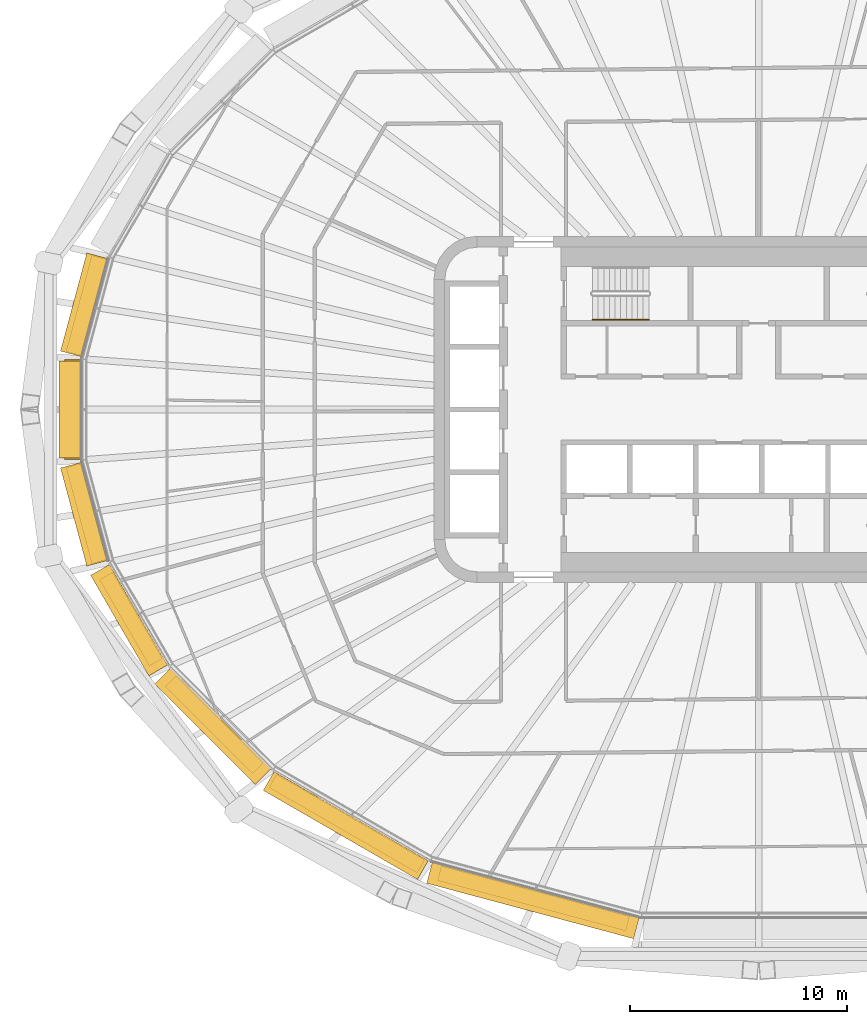
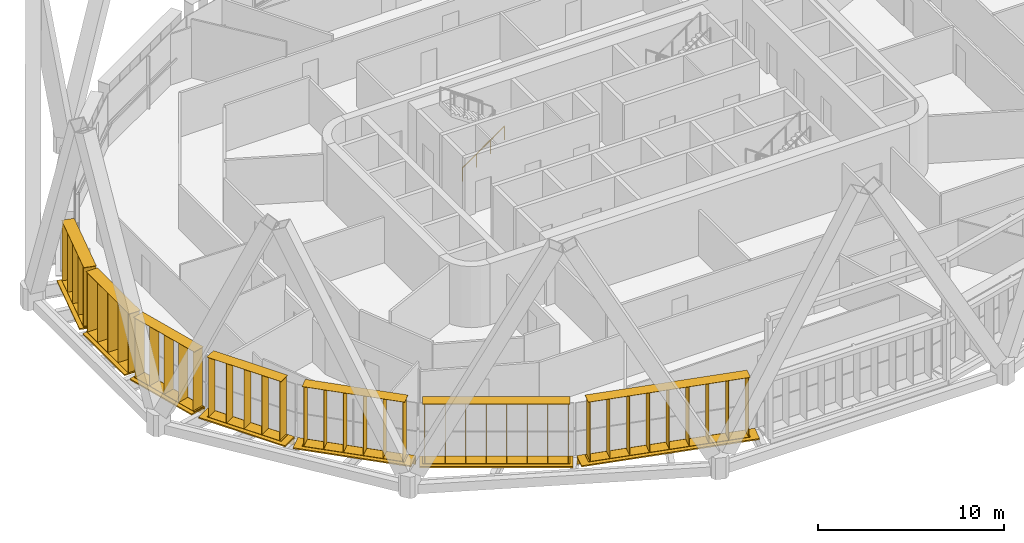
# One storey, part 20 of 25: 14 shading devices, 1 railing.
"""IFC4 building model written with IfcOpenShell, lengths in metres."""

from ifc_helpers import new_model, si_unit, direction, frame, origin, origin_2d, place, context, subcontext, project, spatial, rectangle, circle, extrude, material, type_object, element, save


model = new_model("IFC4")

# Units and contexts
model_context = context("Model", 3, precision=1e-05, world=origin(), true_north=direction((0.0, 1.0)))
body_context = subcontext(model_context, "Body", "Model", "MODEL_VIEW")
ifc_project = project(units=[si_unit("LENGTHUNIT", "METRE"), si_unit("AREAUNIT", "SQUARE_METRE"), si_unit("VOLUMEUNIT", "CUBIC_METRE"), si_unit("PLANEANGLEUNIT", "RADIAN"), si_unit("MASSUNIT", "GRAM", prefix="KILO")], contexts=[model_context])

# Site, building, storey
site_placement = place(None, origin())
site = spatial("IfcSite", under=ifc_project, at=site_placement, CompositionType="ELEMENT")
building_placement = place(site_placement, origin())
building = spatial("IfcBuilding", under=site, at=building_placement, Name="Sahrelin Media Tower", CompositionType="ELEMENT")
storey_placement = place(building_placement, frame((0.0, 0.0, 165.60009765625)))
storey = spatial("IfcBuildingStorey", under=building, at=storey_placement, Name="L34", CompositionType="ELEMENT", Elevation=165.60009765625)

# Shading devices
ifc_material_1 = material(Name="Champagne anodised aluminium 6063-T6", Category="aluminium")
shading_device_type_1 = type_object("IfcShadingDeviceType", Name="Fin cassette", PredefinedType="USERDEFINED", material=ifc_material_1)
placement_1 = place(storey_placement, frame((-30.651611328125, 4.69921875, 0.0), z_axis=(0.0, 0.0, 1.0), x_axis=(0.258807731996, 0.965928857556, 0.0)))
element("IfcShadingDevice", 1, at=placement_1, inside=storey, type_object=shading_device_type_1, Name="L34:FIN:L34-11", ObjectType="FIN", PredefinedType="USERDEFINED", context=body_context, shape_type="SweptSolid", body=[
    extrude(rectangle(XDim=4.60009765625, YDim=0.699951171875, at=origin_2d()), frame((0.0, 0.419921875, 0.0)), (0.0, 0.0, 1.0), 0.02001953125),
    extrude(rectangle(XDim=4.60009765625, YDim=0.699951171875, at=origin_2d()), frame((0.0, 0.419921875, 3.89990234375)), (0.0, 0.0, 1.0), 0.02001953125),
    extrude(rectangle(XDim=0.02001953125, YDim=0.699951171875, at=origin_2d()), frame((-2.199951171875, 0.419921875, 0.010009765625), z_axis=(0.0, 0.0, 1.0), x_axis=(1.0, 0.0, 0.0)), (0.0, 0.0, 1.0), 3.89990234375),
    extrude(rectangle(XDim=0.02001953125, YDim=0.699951171875, at=origin_2d()), frame((-1.10009765625, 0.419921875, 0.010009765625), z_axis=(0.0, 0.0, 1.0), x_axis=(1.0, 0.0, 0.0)), (0.0, 0.0, 1.0), 3.89990234375),
    extrude(rectangle(XDim=0.02001953125, YDim=0.699951171875, at=origin_2d()), frame((0.0, 0.419921875, 0.010009765625), z_axis=(0.0, 0.0, 1.0), x_axis=(1.0, 0.0, 0.0)), (0.0, 0.0, 1.0), 3.89990234375),
    extrude(rectangle(XDim=0.02001953125, YDim=0.699951171875, at=origin_2d()), frame((1.10009765625, 0.419921875, 0.010009765625), z_axis=(0.0, 0.0, 1.0), x_axis=(1.0, 0.0, 0.0)), (0.0, 0.0, 1.0), 3.89990234375),
    extrude(rectangle(XDim=0.02001953125, YDim=0.699951171875, at=origin_2d()), frame((2.199951171875, 0.419921875, 0.010009765625), z_axis=(0.0, 0.0, 1.0), x_axis=(1.0, 0.0, 0.0)), (0.0, 0.0, 1.0), 3.89990234375),
])
placement_2 = place(storey_placement, frame((-31.2841796875, 0.0, 0.0), z_axis=(0.0, 0.0, 1.0), x_axis=(0.0, 1.0, 0.0)))
element("IfcShadingDevice", 2, at=placement_2, inside=storey, type_object=shading_device_type_1, Name="L34:FIN:L34-12", ObjectType="FIN", PredefinedType="USERDEFINED", context=body_context, shape_type="SweptSolid", body=[
    extrude(rectangle(XDim=4.60009765625, YDim=0.699951171875, at=origin_2d()), frame((0.0, 0.419921875, 0.0)), (0.0, 0.0, 1.0), 0.02001953125),
    extrude(rectangle(XDim=4.60009765625, YDim=0.699951171875, at=origin_2d()), frame((0.0, 0.419921875, 3.89990234375)), (0.0, 0.0, 1.0), 0.02001953125),
    extrude(rectangle(XDim=0.02001953125, YDim=0.699951171875, at=origin_2d()), frame((-2.199951171875, 0.419921875, 0.010009765625), z_axis=(0.0, 0.0, 1.0), x_axis=(1.0, 0.0, 0.0)), (0.0, 0.0, 1.0), 3.89990234375),
    extrude(rectangle(XDim=0.02001953125, YDim=0.699951171875, at=origin_2d()), frame((-1.10009765625, 0.419921875, 0.010009765625), z_axis=(0.0, 0.0, 1.0), x_axis=(1.0, 0.0, 0.0)), (0.0, 0.0, 1.0), 3.89990234375),
    extrude(rectangle(XDim=0.02001953125, YDim=0.699951171875, at=origin_2d()), frame((0.0, 0.419921875, 0.010009765625), z_axis=(0.0, 0.0, 1.0), x_axis=(1.0, 0.0, 0.0)), (0.0, 0.0, 1.0), 3.89990234375),
    extrude(rectangle(XDim=0.02001953125, YDim=0.699951171875, at=origin_2d()), frame((1.10009765625, 0.419921875, 0.010009765625), z_axis=(0.0, 0.0, 1.0), x_axis=(1.0, 0.0, 0.0)), (0.0, 0.0, 1.0), 3.89990234375),
    extrude(rectangle(XDim=0.02001953125, YDim=0.699951171875, at=origin_2d()), frame((2.199951171875, 0.419921875, 0.010009765625), z_axis=(0.0, 0.0, 1.0), x_axis=(1.0, 0.0, 0.0)), (0.0, 0.0, 1.0), 3.89990234375),
])
placement_3 = place(storey_placement, frame((-30.6513671875, -4.69921875, 0.0), z_axis=(0.0, 0.0, 1.0), x_axis=(-0.258807731996, 0.965928857556, 0.0)))
element("IfcShadingDevice", 3, at=placement_3, inside=storey, type_object=shading_device_type_1, Name="L34:FIN:L34-13", ObjectType="FIN", PredefinedType="USERDEFINED", context=body_context, shape_type="SweptSolid", body=[
    extrude(rectangle(XDim=4.60009765625, YDim=0.699951171875, at=origin_2d()), frame((0.0, 0.419921875, 0.0)), (0.0, 0.0, 1.0), 0.02001953125),
    extrude(rectangle(XDim=4.60009765625, YDim=0.699951171875, at=origin_2d()), frame((0.0, 0.419921875, 3.89990234375)), (0.0, 0.0, 1.0), 0.02001953125),
    extrude(rectangle(XDim=0.02001953125, YDim=0.699951171875, at=origin_2d()), frame((-2.199951171875, 0.419921875, 0.010009765625), z_axis=(0.0, 0.0, 1.0), x_axis=(1.0, 0.0, 0.0)), (0.0, 0.0, 1.0), 3.89990234375),
    extrude(rectangle(XDim=0.02001953125, YDim=0.699951171875, at=origin_2d()), frame((-1.10009765625, 0.419921875, 0.010009765625), z_axis=(0.0, 0.0, 1.0), x_axis=(1.0, 0.0, 0.0)), (0.0, 0.0, 1.0), 3.89990234375),
    extrude(rectangle(XDim=0.02001953125, YDim=0.699951171875, at=origin_2d()), frame((0.0, 0.419921875, 0.010009765625), z_axis=(0.0, 0.0, 1.0), x_axis=(1.0, 0.0, 0.0)), (0.0, 0.0, 1.0), 3.89990234375),
    extrude(rectangle(XDim=0.02001953125, YDim=0.699951171875, at=origin_2d()), frame((1.10009765625, 0.419921875, 0.010009765625), z_axis=(0.0, 0.0, 1.0), x_axis=(1.0, 0.0, 0.0)), (0.0, 0.0, 1.0), 3.89990234375),
    extrude(rectangle(XDim=0.02001953125, YDim=0.699951171875, at=origin_2d()), frame((2.199951171875, 0.419921875, 0.010009765625), z_axis=(0.0, 0.0, 1.0), x_axis=(1.0, 0.0, 0.0)), (0.0, 0.0, 1.0), 3.89990234375),
])
placement_4 = place(storey_placement, frame((-28.6279296875, -9.4697265625, 0.0), z_axis=(0.0, 0.0, 1.0), x_axis=(-0.500011000363, 0.866019052629, 0.0)))
element("IfcShadingDevice", 4, at=placement_4, inside=storey, type_object=shading_device_type_1, Name="L34:FIN:L34-14", ObjectType="FIN", PredefinedType="USERDEFINED", context=body_context, shape_type="SweptSolid", body=[
    extrude(rectangle(XDim=4.60009765625, YDim=0.699951171875, at=origin_2d()), frame((0.0, 0.419921875, 0.0)), (0.0, 0.0, 1.0), 0.02001953125),
    extrude(rectangle(XDim=4.60009765625, YDim=0.699951171875, at=origin_2d()), frame((0.0, 0.419921875, 3.89990234375)), (0.0, 0.0, 1.0), 0.02001953125),
    extrude(rectangle(XDim=0.02001953125, YDim=0.699951171875, at=origin_2d()), frame((-2.199951171875, 0.419921875, 0.010009765625), z_axis=(0.0, 0.0, 1.0), x_axis=(1.0, 0.0, 0.0)), (0.0, 0.0, 1.0), 3.89990234375),
    extrude(rectangle(XDim=0.02001953125, YDim=0.699951171875, at=origin_2d()), frame((-1.10009765625, 0.419921875, 0.010009765625), z_axis=(0.0, 0.0, 1.0), x_axis=(1.0, 0.0, 0.0)), (0.0, 0.0, 1.0), 3.89990234375),
    extrude(rectangle(XDim=0.02001953125, YDim=0.699951171875, at=origin_2d()), frame((0.0, 0.419921875, 0.010009765625), z_axis=(0.0, 0.0, 1.0), x_axis=(1.0, 0.0, 0.0)), (0.0, 0.0, 1.0), 3.89990234375),
    extrude(rectangle(XDim=0.02001953125, YDim=0.699951171875, at=origin_2d()), frame((1.10009765625, 0.419921875, 0.010009765625), z_axis=(0.0, 0.0, 1.0), x_axis=(1.0, 0.0, 0.0)), (0.0, 0.0, 1.0), 3.89990234375),
    extrude(rectangle(XDim=0.02001953125, YDim=0.699951171875, at=origin_2d()), frame((2.199951171875, 0.419921875, 0.010009765625), z_axis=(0.0, 0.0, 1.0), x_axis=(1.0, 0.0, 0.0)), (0.0, 0.0, 1.0), 3.89990234375),
])
placement_5 = place(storey_placement, frame((-24.847412109375, -14.268310546875, 0.0), z_axis=(0.0, 0.0, 1.0), x_axis=(-0.707106781187, 0.707106781187, 0.0)))
element("IfcShadingDevice", 5, at=placement_5, inside=storey, type_object=shading_device_type_1, Name="L34:FIN:L34-15", ObjectType="FIN", PredefinedType="USERDEFINED", context=body_context, shape_type="SweptSolid", body=[
    extrude(rectangle(XDim=5.699951171875, YDim=0.699951171875, at=origin_2d()), frame((0.0, 0.419921875, 0.0)), (0.0, 0.0, 1.0), 0.02001953125),
    extrude(rectangle(XDim=5.699951171875, YDim=0.699951171875, at=origin_2d()), frame((0.0, 0.419921875, 3.89990234375)), (0.0, 0.0, 1.0), 0.02001953125),
    extrude(rectangle(XDim=0.02001953125, YDim=0.699951171875, at=origin_2d()), frame((-2.75, 0.419921875, 0.010009765625), z_axis=(0.0, 0.0, 1.0), x_axis=(1.0, 0.0, 0.0)), (0.0, 0.0, 1.0), 3.89990234375),
    extrude(rectangle(XDim=0.02001953125, YDim=0.699951171875, at=origin_2d()), frame((-1.64990234375, 0.419921875, 0.010009765625), z_axis=(0.0, 0.0, 1.0), x_axis=(1.0, 0.0, 0.0)), (0.0, 0.0, 1.0), 3.89990234375),
    extrude(rectangle(XDim=0.02001953125, YDim=0.699951171875, at=origin_2d()), frame((-0.550048828125, 0.419921875, 0.010009765625), z_axis=(0.0, 0.0, 1.0), x_axis=(1.0, 0.0, 0.0)), (0.0, 0.0, 1.0), 3.89990234375),
    extrude(rectangle(XDim=0.02001953125, YDim=0.699951171875, at=origin_2d()), frame((0.550048828125, 0.419921875, 0.010009765625), z_axis=(0.0, 0.0, 1.0), x_axis=(1.0, 0.0, 0.0)), (0.0, 0.0, 1.0), 3.89990234375),
    extrude(rectangle(XDim=0.02001953125, YDim=0.699951171875, at=origin_2d()), frame((1.64990234375, 0.419921875, 0.010009765625), z_axis=(0.0, 0.0, 1.0), x_axis=(1.0, 0.0, 0.0)), (0.0, 0.0, 1.0), 3.89990234375),
    extrude(rectangle(XDim=0.02001953125, YDim=0.699951171875, at=origin_2d()), frame((2.75, 0.419921875, 0.010009765625), z_axis=(0.0, 0.0, 1.0), x_axis=(1.0, 0.0, 0.0)), (0.0, 0.0, 1.0), 3.89990234375),
])
placement_6 = place(storey_placement, frame((-18.811279296875, -18.76318359375, 0.0), z_axis=(0.0, 0.0, 1.0), x_axis=(-0.866019052629, 0.500011000363, 0.0)))
element("IfcShadingDevice", 6, at=placement_6, inside=storey, type_object=shading_device_type_1, Name="L34:FIN:L34-16", ObjectType="FIN", PredefinedType="USERDEFINED", context=body_context, shape_type="SweptSolid", body=[
    extrude(rectangle(XDim=7.89990234375, YDim=0.699951171875, at=origin_2d()), frame((0.0, 0.419921875, 0.0)), (0.0, 0.0, 1.0), 0.02001953125),
    extrude(rectangle(XDim=7.89990234375, YDim=0.699951171875, at=origin_2d()), frame((0.0, 0.419921875, 3.89990234375)), (0.0, 0.0, 1.0), 0.02001953125),
    extrude(rectangle(XDim=0.02001953125, YDim=0.699951171875, at=origin_2d()), frame((-3.85009765625, 0.419921875, 0.010009765625), z_axis=(0.0, 0.0, 1.0), x_axis=(1.0, 0.0, 0.0)), (0.0, 0.0, 1.0), 3.89990234375),
    extrude(rectangle(XDim=0.02001953125, YDim=0.699951171875, at=origin_2d()), frame((-2.75, 0.419921875, 0.010009765625), z_axis=(0.0, 0.0, 1.0), x_axis=(1.0, 0.0, 0.0)), (0.0, 0.0, 1.0), 3.89990234375),
    extrude(rectangle(XDim=0.02001953125, YDim=0.699951171875, at=origin_2d()), frame((-1.64990234375, 0.419921875, 0.010009765625), z_axis=(0.0, 0.0, 1.0), x_axis=(1.0, 0.0, 0.0)), (0.0, 0.0, 1.0), 3.89990234375),
    extrude(rectangle(XDim=0.02001953125, YDim=0.699951171875, at=origin_2d()), frame((-0.550048828125, 0.419921875, 0.010009765625), z_axis=(0.0, 0.0, 1.0), x_axis=(1.0, 0.0, 0.0)), (0.0, 0.0, 1.0), 3.89990234375),
    extrude(rectangle(XDim=0.02001953125, YDim=0.699951171875, at=origin_2d()), frame((0.550048828125, 0.419921875, 0.010009765625), z_axis=(0.0, 0.0, 1.0), x_axis=(1.0, 0.0, 0.0)), (0.0, 0.0, 1.0), 3.89990234375),
    extrude(rectangle(XDim=0.02001953125, YDim=0.699951171875, at=origin_2d()), frame((1.64990234375, 0.419921875, 0.010009765625), z_axis=(0.0, 0.0, 1.0), x_axis=(1.0, 0.0, 0.0)), (0.0, 0.0, 1.0), 3.89990234375),
    extrude(rectangle(XDim=0.02001953125, YDim=0.699951171875, at=origin_2d()), frame((2.75, 0.419921875, 0.010009765625), z_axis=(0.0, 0.0, 1.0), x_axis=(1.0, 0.0, 0.0)), (0.0, 0.0, 1.0), 3.89990234375),
    extrude(rectangle(XDim=0.02001953125, YDim=0.699951171875, at=origin_2d()), frame((3.85009765625, 0.419921875, 0.010009765625), z_axis=(0.0, 0.0, 1.0), x_axis=(1.0, 0.0, 0.0)), (0.0, 0.0, 1.0), 3.89990234375),
])
placement_7 = place(storey_placement, frame((-10.29052734375, -22.1748046875, 0.0), z_axis=(0.0, 0.0, 1.0), x_axis=(-0.965928857556, 0.258807731996, 0.0)))
element("IfcShadingDevice", 7, at=placement_7, inside=storey, type_object=shading_device_type_1, Name="L34:FIN:L34-17", ObjectType="FIN", PredefinedType="USERDEFINED", context=body_context, shape_type="SweptSolid", body=[
    extrude(rectangle(XDim=9.0, YDim=0.699951171875, at=origin_2d()), frame((0.0, 0.419921875, 0.0)), (0.0, 0.0, 1.0), 0.02001953125),
    extrude(rectangle(XDim=9.0, YDim=0.699951171875, at=origin_2d()), frame((0.0, 0.419921875, 3.89990234375)), (0.0, 0.0, 1.0), 0.02001953125),
    extrude(rectangle(XDim=0.02001953125, YDim=0.699951171875, at=origin_2d()), frame((-4.39990234375, 0.419921875, 0.010009765625), z_axis=(0.0, 0.0, 1.0), x_axis=(1.0, 0.0, 0.0)), (0.0, 0.0, 1.0), 3.89990234375),
    extrude(rectangle(XDim=0.02001953125, YDim=0.699951171875, at=origin_2d()), frame((-3.300048828125, 0.419921875, 0.010009765625), z_axis=(0.0, 0.0, 1.0), x_axis=(1.0, 0.0, 0.0)), (0.0, 0.0, 1.0), 3.89990234375),
    extrude(rectangle(XDim=0.02001953125, YDim=0.699951171875, at=origin_2d()), frame((-2.199951171875, 0.419921875, 0.010009765625), z_axis=(0.0, 0.0, 1.0), x_axis=(1.0, 0.0, 0.0)), (0.0, 0.0, 1.0), 3.89990234375),
    extrude(rectangle(XDim=0.02001953125, YDim=0.699951171875, at=origin_2d()), frame((-1.10009765625, 0.419921875, 0.010009765625), z_axis=(0.0, 0.0, 1.0), x_axis=(1.0, 0.0, 0.0)), (0.0, 0.0, 1.0), 3.89990234375),
    extrude(rectangle(XDim=0.02001953125, YDim=0.699951171875, at=origin_2d()), frame((0.0, 0.419921875, 0.010009765625), z_axis=(0.0, 0.0, 1.0), x_axis=(1.0, 0.0, 0.0)), (0.0, 0.0, 1.0), 3.89990234375),
    extrude(rectangle(XDim=0.02001953125, YDim=0.699951171875, at=origin_2d()), frame((1.10009765625, 0.419921875, 0.010009765625), z_axis=(0.0, 0.0, 1.0), x_axis=(1.0, 0.0, 0.0)), (0.0, 0.0, 1.0), 3.89990234375),
    extrude(rectangle(XDim=0.02001953125, YDim=0.699951171875, at=origin_2d()), frame((2.199951171875, 0.419921875, 0.010009765625), z_axis=(0.0, 0.0, 1.0), x_axis=(1.0, 0.0, 0.0)), (0.0, 0.0, 1.0), 3.89990234375),
    extrude(rectangle(XDim=0.02001953125, YDim=0.699951171875, at=origin_2d()), frame((3.300048828125, 0.419921875, 0.010009765625), z_axis=(0.0, 0.0, 1.0), x_axis=(1.0, 0.0, 0.0)), (0.0, 0.0, 1.0), 3.89990234375),
    extrude(rectangle(XDim=0.02001953125, YDim=0.699951171875, at=origin_2d()), frame((4.39990234375, 0.419921875, 0.010009765625), z_axis=(0.0, 0.0, 1.0), x_axis=(1.0, 0.0, 0.0)), (0.0, 0.0, 1.0), 3.89990234375),
])

# Railing
ifc_material_2 = material(Name="Steel S355", Category="steel")
railing_type = type_object("IfcRailingType", Name="Stair handrail 900", PredefinedType="HANDRAIL", material=ifc_material_2)
railing_placement = place(storey_placement, frame((-7.675048828125, 4.14990234375, 0.181640625)))
element("IfcRailing", 8, at=railing_placement, inside=storey, type_object=railing_type, Name="L34 ST1 stair handrail 1", PredefinedType="HANDRAIL", context=body_context, shape_type="SweptSolid", body=[
    extrude(circle(Radius=0.02392578125, at=origin_2d()), frame((0.0, 0.0, 0.8759765625), z_axis=(0.819484887739, 0.0, 0.573100792852), x_axis=(0.0, 1.0, 0.0)), (0.0, 0.0, 1.0), 3.1728515625),
    extrude(circle(Radius=0.02099609375, at=origin_2d()), origin(), (0.0, 0.0, 1.0), 0.851806640625),
    extrude(circle(Radius=0.02099609375, at=origin_2d()), frame((0.86669921875, 0.0, 0.606201171875)), (0.0, 0.0, 1.0), 0.851806640625),
    extrude(circle(Radius=0.02099609375, at=origin_2d()), frame((1.7333984375, 0.0, 1.212158203125)), (0.0, 0.0, 1.0), 0.851806640625),
    extrude(circle(Radius=0.02099609375, at=origin_2d()), frame((2.60009765625, 0.0, 1.818359375)), (0.0, 0.0, 1.0), 0.851806640625),
])

# Shading devices
shading_device_type_2 = type_object("IfcShadingDeviceType", Name="Sunshade band", PredefinedType="USERDEFINED", material=ifc_material_1)
element("IfcShadingDevice", 9, at=placement_1, inside=storey, type_object=shading_device_type_2, Name="L34:SUN:L34-11", ObjectType="SUNSHADE", PredefinedType="USERDEFINED", context=body_context, shape_type="SweptSolid", body=[
    extrude(rectangle(XDim=4.689697265625, YDim=0.050048828125, at=origin_2d()), frame((0.0, 0.044921875, -0.55126953125)), (0.0, 0.0, 1.0), 0.471435546875),
    extrude(rectangle(XDim=4.689697265625, YDim=1.0, at=origin_2d()), frame((0.0, 0.52001953125, -0.080078125)), (0.0, 0.0, 1.0), 0.080078125),
    extrude(rectangle(XDim=0.10009765625, YDim=0.074951171875, at=origin_2d()), frame((-2.244873046875, -0.017578125, -0.47021484375)), (0.0, 0.0, 1.0), 0.300048828125),
    extrude(rectangle(XDim=0.10009765625, YDim=0.074951171875, at=origin_2d()), frame((-0.748291015625, -0.017578125, -0.47021484375)), (0.0, 0.0, 1.0), 0.300048828125),
    extrude(rectangle(XDim=0.10009765625, YDim=0.074951171875, at=origin_2d()), frame((0.748291015625, -0.017578125, -0.47021484375)), (0.0, 0.0, 1.0), 0.300048828125),
    extrude(rectangle(XDim=0.10009765625, YDim=0.074951171875, at=origin_2d()), frame((2.244873046875, -0.017578125, -0.47021484375)), (0.0, 0.0, 1.0), 0.300048828125),
])
element("IfcShadingDevice", 10, at=placement_2, inside=storey, type_object=shading_device_type_2, Name="L34:SUN:L34-12", ObjectType="SUNSHADE", PredefinedType="USERDEFINED", context=body_context, shape_type="SweptSolid", body=[
    extrude(rectangle(XDim=4.475341796875, YDim=0.050048828125, at=origin_2d()), frame((0.0, 0.044921875, -0.55126953125)), (0.0, 0.0, 1.0), 0.471435546875),
    extrude(rectangle(XDim=4.475341796875, YDim=1.0, at=origin_2d()), frame((0.0, 0.52001953125, -0.080078125)), (0.0, 0.0, 1.0), 0.080078125),
    extrude(rectangle(XDim=0.10009765625, YDim=0.074951171875, at=origin_2d()), frame((-2.1376953125, -0.017578125, -0.47021484375)), (0.0, 0.0, 1.0), 0.300048828125),
    extrude(rectangle(XDim=0.10009765625, YDim=0.074951171875, at=origin_2d()), frame((-0.712646484375, -0.017578125, -0.47021484375)), (0.0, 0.0, 1.0), 0.300048828125),
    extrude(rectangle(XDim=0.10009765625, YDim=0.074951171875, at=origin_2d()), frame((0.712646484375, -0.017578125, -0.47021484375)), (0.0, 0.0, 1.0), 0.300048828125),
    extrude(rectangle(XDim=0.10009765625, YDim=0.074951171875, at=origin_2d()), frame((2.1376953125, -0.017578125, -0.47021484375)), (0.0, 0.0, 1.0), 0.300048828125),
])
element("IfcShadingDevice", 11, at=placement_3, inside=storey, type_object=shading_device_type_2, Name="L34:SUN:L34-13", ObjectType="SUNSHADE", PredefinedType="USERDEFINED", context=body_context, shape_type="SweptSolid", body=[
    extrude(rectangle(XDim=4.689697265625, YDim=0.050048828125, at=origin_2d()), frame((0.0, 0.044921875, -0.55126953125)), (0.0, 0.0, 1.0), 0.471435546875),
    extrude(rectangle(XDim=4.689697265625, YDim=1.0, at=origin_2d()), frame((0.0, 0.52001953125, -0.080078125)), (0.0, 0.0, 1.0), 0.080078125),
    extrude(rectangle(XDim=0.10009765625, YDim=0.074951171875, at=origin_2d()), frame((-2.244873046875, -0.017578125, -0.47021484375)), (0.0, 0.0, 1.0), 0.300048828125),
    extrude(rectangle(XDim=0.10009765625, YDim=0.074951171875, at=origin_2d()), frame((-0.748291015625, -0.017578125, -0.47021484375)), (0.0, 0.0, 1.0), 0.300048828125),
    extrude(rectangle(XDim=0.10009765625, YDim=0.074951171875, at=origin_2d()), frame((0.748291015625, -0.017578125, -0.47021484375)), (0.0, 0.0, 1.0), 0.300048828125),
    extrude(rectangle(XDim=0.10009765625, YDim=0.074951171875, at=origin_2d()), frame((2.244873046875, -0.017578125, -0.47021484375)), (0.0, 0.0, 1.0), 0.300048828125),
])
element("IfcShadingDevice", 12, at=placement_4, inside=storey, type_object=shading_device_type_2, Name="L34:SUN:L34-14", ObjectType="SUNSHADE", PredefinedType="USERDEFINED", context=body_context, shape_type="SweptSolid", body=[
    extrude(rectangle(XDim=5.36328125, YDim=0.050048828125, at=origin_2d()), frame((0.0, 0.044921875, -0.55126953125)), (0.0, 0.0, 1.0), 0.471435546875),
    extrude(rectangle(XDim=5.36328125, YDim=1.0, at=origin_2d()), frame((0.0, 0.52001953125, -0.080078125)), (0.0, 0.0, 1.0), 0.080078125),
    extrude(rectangle(XDim=0.10009765625, YDim=0.074951171875, at=origin_2d()), frame((-2.581787109375, -0.017578125, -0.47021484375)), (0.0, 0.0, 1.0), 0.300048828125),
    extrude(rectangle(XDim=0.10009765625, YDim=0.074951171875, at=origin_2d()), frame((-0.860595703125, -0.017578125, -0.47021484375)), (0.0, 0.0, 1.0), 0.300048828125),
    extrude(rectangle(XDim=0.10009765625, YDim=0.074951171875, at=origin_2d()), frame((0.860595703125, -0.017578125, -0.47021484375)), (0.0, 0.0, 1.0), 0.300048828125),
    extrude(rectangle(XDim=0.10009765625, YDim=0.074951171875, at=origin_2d()), frame((2.581787109375, -0.017578125, -0.47021484375)), (0.0, 0.0, 1.0), 0.300048828125),
])
element("IfcShadingDevice", 13, at=placement_5, inside=storey, type_object=shading_device_type_2, Name="L34:SUN:L34-15", ObjectType="SUNSHADE", PredefinedType="USERDEFINED", context=body_context, shape_type="SweptSolid", body=[
    extrude(rectangle(XDim=6.55859375, YDim=0.050048828125, at=origin_2d()), frame((0.0, 0.044921875, -0.55126953125)), (0.0, 0.0, 1.0), 0.471435546875),
    extrude(rectangle(XDim=6.55859375, YDim=1.0, at=origin_2d()), frame((0.0, 0.52001953125, -0.080078125)), (0.0, 0.0, 1.0), 0.080078125),
    extrude(rectangle(XDim=0.10009765625, YDim=0.074951171875, at=origin_2d()), frame((-3.17919921875, -0.017578125, -0.47021484375)), (0.0, 0.0, 1.0), 0.300048828125),
    extrude(rectangle(XDim=0.10009765625, YDim=0.074951171875, at=origin_2d()), frame((-1.589599609375, -0.017578125, -0.47021484375)), (0.0, 0.0, 1.0), 0.300048828125),
    extrude(rectangle(XDim=0.10009765625, YDim=0.074951171875, at=origin_2d()), frame((0.0, -0.017578125, -0.47021484375)), (0.0, 0.0, 1.0), 0.300048828125),
    extrude(rectangle(XDim=0.10009765625, YDim=0.074951171875, at=origin_2d()), frame((1.589599609375, -0.017578125, -0.47021484375)), (0.0, 0.0, 1.0), 0.300048828125),
    extrude(rectangle(XDim=0.10009765625, YDim=0.074951171875, at=origin_2d()), frame((3.17919921875, -0.017578125, -0.47021484375)), (0.0, 0.0, 1.0), 0.300048828125),
])
element("IfcShadingDevice", 14, at=placement_6, inside=storey, type_object=shading_device_type_2, Name="L34:SUN:L34-16", ObjectType="SUNSHADE", PredefinedType="USERDEFINED", context=body_context, shape_type="SweptSolid", body=[
    extrude(rectangle(XDim=8.222412109375, YDim=0.050048828125, at=origin_2d()), frame((0.0, 0.044921875, -0.55126953125)), (0.0, 0.0, 1.0), 0.471435546875),
    extrude(rectangle(XDim=8.222412109375, YDim=1.0, at=origin_2d()), frame((0.0, 0.52001953125, -0.080078125)), (0.0, 0.0, 1.0), 0.080078125),
    extrude(rectangle(XDim=0.10009765625, YDim=0.074951171875, at=origin_2d()), frame((-4.010986328125, -0.017578125, -0.47021484375)), (0.0, 0.0, 1.0), 0.300048828125),
    extrude(rectangle(XDim=0.10009765625, YDim=0.074951171875, at=origin_2d()), frame((-2.40673828125, -0.017578125, -0.47021484375)), (0.0, 0.0, 1.0), 0.300048828125),
    extrude(rectangle(XDim=0.10009765625, YDim=0.074951171875, at=origin_2d()), frame((-0.80224609375, -0.017578125, -0.47021484375)), (0.0, 0.0, 1.0), 0.300048828125),
    extrude(rectangle(XDim=0.10009765625, YDim=0.074951171875, at=origin_2d()), frame((0.80224609375, -0.017578125, -0.47021484375)), (0.0, 0.0, 1.0), 0.300048828125),
    extrude(rectangle(XDim=0.10009765625, YDim=0.074951171875, at=origin_2d()), frame((2.40673828125, -0.017578125, -0.47021484375)), (0.0, 0.0, 1.0), 0.300048828125),
    extrude(rectangle(XDim=0.10009765625, YDim=0.074951171875, at=origin_2d()), frame((4.010986328125, -0.017578125, -0.47021484375)), (0.0, 0.0, 1.0), 0.300048828125),
])
element("IfcShadingDevice", 15, at=placement_7, inside=storey, type_object=shading_device_type_2, Name="L34:SUN:L34-17", ObjectType="SUNSHADE", PredefinedType="USERDEFINED", context=body_context, shape_type="SweptSolid", body=[
    extrude(rectangle(XDim=9.89111328125, YDim=0.050048828125, at=origin_2d()), frame((0.0, 0.044921875, -0.55126953125)), (0.0, 0.0, 1.0), 0.471435546875),
    extrude(rectangle(XDim=9.89111328125, YDim=1.0, at=origin_2d()), frame((0.0, 0.52001953125, -0.080078125)), (0.0, 0.0, 1.0), 0.080078125),
    extrude(rectangle(XDim=0.10009765625, YDim=0.074951171875, at=origin_2d()), frame((-4.845703125, -0.017578125, -0.47021484375)), (0.0, 0.0, 1.0), 0.300048828125),
    extrude(rectangle(XDim=0.10009765625, YDim=0.074951171875, at=origin_2d()), frame((-2.907470703125, -0.017578125, -0.47021484375)), (0.0, 0.0, 1.0), 0.300048828125),
    extrude(rectangle(XDim=0.10009765625, YDim=0.074951171875, at=origin_2d()), frame((-0.968994140625, -0.017578125, -0.47021484375)), (0.0, 0.0, 1.0), 0.300048828125),
    extrude(rectangle(XDim=0.10009765625, YDim=0.074951171875, at=origin_2d()), frame((0.968994140625, -0.017578125, -0.47021484375)), (0.0, 0.0, 1.0), 0.300048828125),
    extrude(rectangle(XDim=0.10009765625, YDim=0.074951171875, at=origin_2d()), frame((2.907470703125, -0.017578125, -0.47021484375)), (0.0, 0.0, 1.0), 0.300048828125),
    extrude(rectangle(XDim=0.10009765625, YDim=0.074951171875, at=origin_2d()), frame((4.845703125, -0.017578125, -0.47021484375)), (0.0, 0.0, 1.0), 0.300048828125),
])

save(model, "model.ifc")
